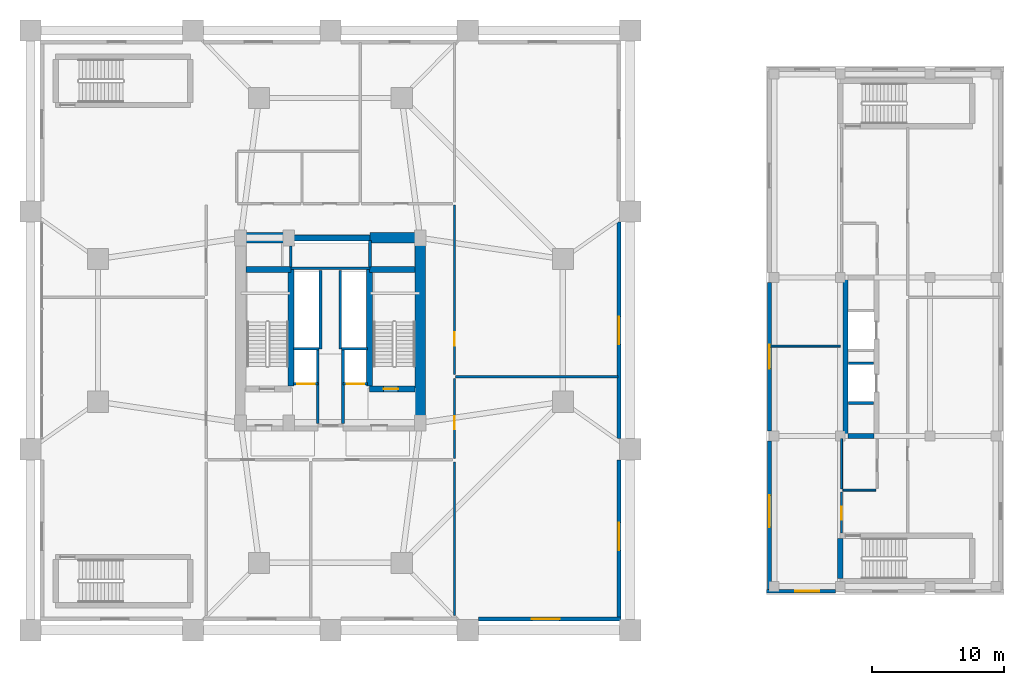
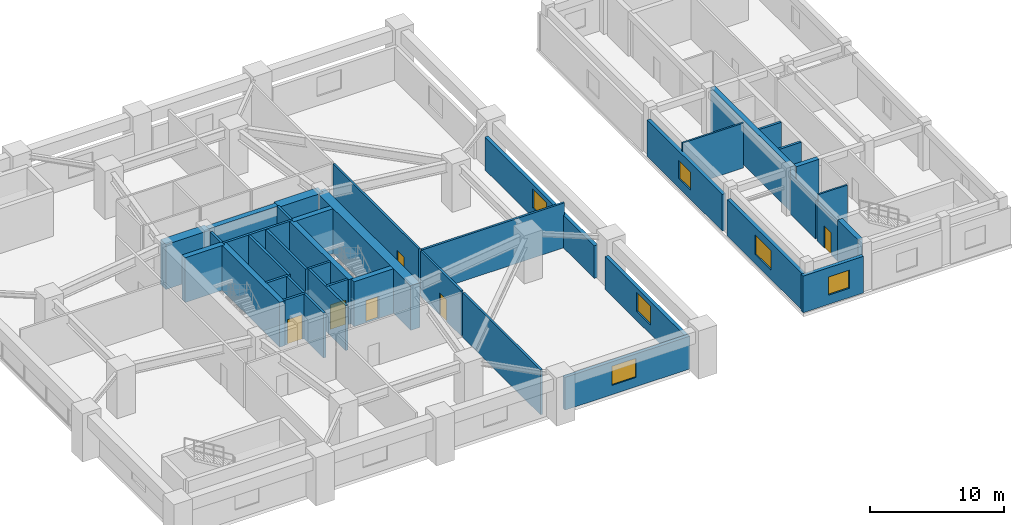
# One storey, part 9 of 16: 39 walls, 6 doors, 6 windows, 12 openings.
"""IFC4 building model written with IfcOpenShell, lengths in metres."""

from ifc_helpers import new_model, si_unit, direction, frame, frame_2d, origin, place, context, subcontext, project, spatial, rectangle, extrude, source, transform, mapped, material, layer, layer_set, type_object, element, fill, save


model = new_model("IFC4")

# Units and contexts
model_context = context("Model", 3, precision=1e-05, world=origin(), true_north=direction((0.0, 1.0)))
body_context = subcontext(model_context, "Body", "Model", "MODEL_VIEW")
ifc_project = project(units=[si_unit("LENGTHUNIT", "METRE"), si_unit("AREAUNIT", "SQUARE_METRE"), si_unit("VOLUMEUNIT", "CUBIC_METRE"), si_unit("PLANEANGLEUNIT", "RADIAN"), si_unit("MASSUNIT", "GRAM", prefix="KILO")], contexts=[model_context])

# Site, building, storey
site_placement = place(None, origin())
site = spatial("IfcSite", under=ifc_project, at=site_placement, CompositionType="ELEMENT")
building_placement = place(site_placement, origin())
building = spatial("IfcBuilding", under=site, at=building_placement, Name="Veraguas Prism Commons", CompositionType="ELEMENT")
storey_placement = place(building_placement, frame((0.0, 0.0, 14.0)))
storey = spatial("IfcBuildingStorey", under=building, at=storey_placement, Name="L03", CompositionType="ELEMENT", Elevation=14.0)

# Walls
ifc_material_1 = material(Name="Concrete C50/60", Category="concrete")
ifc_layer_1 = layer(ifc_material_1, 0.39990234375, Name="Clinic and Mid Core Shear Wall RC 400", Category="concrete")
ifc_layer_set_1 = layer_set([ifc_layer_1], Name="Concrete C50/60")
wall_type_1 = type_object("IfcWallType", Name="Clinic and Mid Core Shear Wall RC 400", PredefinedType="SHEAR", material=ifc_layer_set_1)
wall_1_placement = place(storey_placement, frame((63.0, 16.0, 0.0), z_axis=(0.0, 0.0, 1.0), x_axis=(0.0, 1.0, 0.0)))
element("IfcWall", 1, at=wall_1_placement, inside=storey, type_object=wall_type_1, Name="Health Centre Core West Shear Wall L03", PredefinedType="SHEAR", context=body_context, shape_type="SweptSolid", body=[
    extrude(rectangle(XDim=12.0, YDim=0.39990234375, at=frame_2d((6.0, 0.0))), origin(), (0.0, 0.0, 1.0), 4.10009765625),
])
wall_2_placement = place(storey_placement, frame((63.199951171875, 16.0, 0.0), z_axis=(0.0, 0.0, 1.0), x_axis=(1.0, 0.0, 0.0)))
element("IfcWall", 2, at=wall_2_placement, inside=storey, type_object=wall_type_1, Name="Health Centre Core South Wall L03", PredefinedType="SHEAR", context=body_context, shape_type="SweptSolid", body=[
    extrude(rectangle(XDim=1.949951171875, YDim=0.39990234375, at=frame_2d((0.97509765625, 0.0))), origin(), (0.0, 0.0, 1.0), 4.10009765625),
])
wall_3_placement = place(storey_placement, frame((62.60009765625, 5.199951171875, 0.0), z_axis=(0.0, 0.0, 1.0), x_axis=(0.0, 1.0, 0.0)))
element("IfcWall", 3, at=wall_3_placement, inside=storey, type_object=wall_type_1, Name="ST-H1 West Shear Wall L03", PredefinedType="SHEAR", context=body_context, shape_type="SweptSolid", body=[
    extrude(rectangle(XDim=3.050048828125, YDim=0.39990234375, at=frame_2d((1.52490234375, 0.0))), origin(), (0.0, 0.0, 1.0), 4.10009765625),
])
ifc_material_2 = material(Name="Concrete C60/75", Category="concrete")
ifc_layer_2 = layer(ifc_material_2, 0.449951171875, Name="Core Internal Shear Wall Lower RC 450", Category="concrete")
ifc_layer_set_2 = layer_set([ifc_layer_2], Name="Concrete C60/75")
wall_type_2 = type_object("IfcWallType", Name="Core Internal Shear Wall Lower RC 450", PredefinedType="SHEAR", material=ifc_layer_set_2)
wall_4_placement = place(storey_placement, frame((21.0, 31.0, 0.0), z_axis=(0.0, 0.0, 1.0), x_axis=(1.0, 0.0, 0.0)))
element("IfcWall", 4, at=wall_4_placement, inside=storey, type_object=wall_type_2, Name="High-Rise Lift Bank Front Shear Wall L03", PredefinedType="SHEAR", context=body_context, shape_type="SweptSolid", body=[
    extrude(rectangle(XDim=6.0, YDim=0.449951171875, at=frame_2d((3.0, 0.0))), origin(), (0.0, 0.0, 1.0), 4.10009765625),
])

# Wall, opening, door
wall_5_placement = place(storey_placement, frame((26.97509765625, 19.574951171875, 0.0), z_axis=(0.0, 0.0, 1.0), x_axis=(1.0, 0.0, 0.0)))
wall_5 = element("IfcWall", 5, at=wall_5_placement, inside=storey, type_object=wall_type_2, Name="Stair ST-02 South Shear Wall L03", PredefinedType="SHEAR", context=body_context, shape_type="SweptSolid", body=[
    extrude(rectangle(XDim=3.4248046875, YDim=0.449951171875, at=frame_2d((1.71240234375, 0.0))), origin(), (0.0, 0.0, 1.0), 4.10009765625),
])
opening_1_placement = place(wall_5_placement, frame((1.050048828125, 0.0, 0.0)))
opening_1 = element("IfcOpeningElement", 6, at=opening_1_placement, cuts=wall_5, Name="Opening DR-05", PredefinedType="OPENING", context=body_context, shape_type="SweptSolid", body=[
    extrude(rectangle(XDim=1.10009765625, YDim=2.030029296875, at=frame_2d((0.550048828125, 1.01513671875))), frame((0.0, 0.23486328125, 0.0), z_axis=(0.0, -1.0, 0.0), x_axis=(1.0, 0.0, 0.0)), (0.0, 0.0, 1.0), 0.469970703125),
])
ifc_material_3 = material(Name="Steel fire-rated door assembly", Category="steel")
door_type_1 = type_object("IfcDoorType", Name="Protected Stair and Refuge Fire Door 1100x2030", OperationType="NOTDEFINED", PredefinedType="DOOR", material=ifc_material_3)
shared_shape_1 = source(origin(), body_context, "Body", "SweptSolid", [
    extrude(rectangle(XDim=1.10009765625, YDim=2.030029296875, at=frame_2d((0.550048828125, 1.01513671875))), frame((0.0, 0.02490234375, 0.0), z_axis=(0.0, -1.0, 0.0), x_axis=(1.0, 0.0, 0.0)), (0.0, 0.0, 1.0), 0.050048828125),
])
door_1_placement = place(opening_1_placement, origin())
door_1 = element("IfcDoor", 7, at=door_1_placement, inside=storey, type_object=door_type_1, Name="Stair ST-02 Enclosure Door L03", OperationType="SINGLE_SWING_RIGHT", OverallHeight=2.030029296875, OverallWidth=1.10009765625, PredefinedType="DOOR", context=body_context, shape_type="MappedRepresentation", body=[
    mapped(shared_shape_1, transform((0.0, 0.0, 0.0), scale=1.0)),
])
fill(opening_1, door_1)

# Walls
for number, where, z_axis, x_axis, name in (
    (8, (21.02490234375, 19.800048828125, 0.0), (0.0, 0.0, 1.0), (0.0, 1.0, 0.0), "Stair ST-01 Inner Shear Wall L03"),
    (9, (26.97509765625, 19.800048828125, 0.0), (0.0, 0.0, 1.0), (0.0, 1.0, 0.0), "Stair ST-02 Inner Shear Wall L03"),
):
    element("IfcWall", number, at=place(storey_placement, frame(where, z_axis=z_axis, x_axis=x_axis)), inside=storey, type_object=wall_type_2, Name=name, PredefinedType="SHEAR", context=body_context, shape_type="SweptSolid", body=[
        extrude(rectangle(XDim=8.824951171875, YDim=0.449951171875, at=frame_2d((4.41259765625, 0.0))), origin(), (0.0, 0.0, 1.0), 4.10009765625),
    ])
for number, where, z_axis, x_axis, name in (
    (10, (17.60009765625, 28.625, 0.0), (0.0, 0.0, 1.0), (1.0, 0.0, 0.0), "Stair ST-01 North Shear Wall L03"),
    (11, (26.97509765625, 28.625, 0.0), (0.0, 0.0, 1.0), (1.0, 0.0, 0.0), "Stair ST-02 North Shear Wall L03"),
):
    element("IfcWall", number, at=place(storey_placement, frame(where, z_axis=z_axis, x_axis=x_axis)), inside=storey, type_object=wall_type_2, Name=name, PredefinedType="SHEAR", context=body_context, shape_type="SweptSolid", body=[
        extrude(rectangle(XDim=3.4248046875, YDim=0.449951171875, at=frame_2d((1.71240234375, 0.0))), origin(), (0.0, 0.0, 1.0), 4.10009765625),
    ])
ifc_layer_3 = layer(ifc_material_2, 0.800048828125, Name="Core Outer Shear Wall Lower RC 800", Category="concrete")
ifc_layer_set_3 = layer_set([ifc_layer_3], Name="Concrete C60/75")
wall_type_3 = type_object("IfcWallType", Name="Core Outer Shear Wall Lower RC 800", PredefinedType="SHEAR", material=ifc_layer_set_3)
wall_6_placement = place(storey_placement, frame((30.800048828125, 16.800048828125, 0.0), z_axis=(0.0, 0.0, 1.0), x_axis=(0.0, 1.0, 0.0)))
element("IfcWall", 12, at=wall_6_placement, inside=storey, type_object=wall_type_3, Name="Central Core East Shear Wall L03", PredefinedType="SHEAR", context=body_context, shape_type="SweptSolid", body=[
    extrude(rectangle(XDim=14.199951171875, YDim=0.800048828125, at=frame_2d((7.10009765625, 0.0))), origin(), (0.0, 0.0, 1.0), 4.10009765625),
])
for number, where, z_axis, x_axis, name in (
    (13, (17.199951171875, 31.0, 0.0), (0.0, 0.0, 1.0), (1.0, 0.0, 0.0), "Central Core North-West Shear Wall L03"),
    (14, (27.0, 31.0, 0.0), (0.0, 0.0, 1.0), (1.0, 0.0, 0.0), "Central Core North-East Shear Wall L03"),
):
    element("IfcWall", number, at=place(storey_placement, frame(where, z_axis=z_axis, x_axis=x_axis)), inside=storey, type_object=wall_type_3, Name=name, PredefinedType="SHEAR", context=body_context, shape_type="SweptSolid", body=[
        extrude(rectangle(XDim=3.800048828125, YDim=0.800048828125, at=frame_2d((1.89990234375, 0.0))), origin(), (0.0, 0.0, 1.0), 4.10009765625),
    ])
ifc_material_4 = material(Name="Autoclaved aerated masonry block 10 MPa", Category="masonry")
ifc_layer_4 = layer(ifc_material_4, 0.179931640625, Name="Corridor and Inter-Tenancy Partition 180", Category="masonry")
ifc_layer_set_4 = layer_set([ifc_layer_4], Name="Autoclaved aerated masonry block 10 MPa")
wall_type_4 = type_object("IfcWallType", Name="Corridor and Inter-Tenancy Partition 180", PredefinedType="PARTITIONING", material=ifc_layer_set_4)
wall_7_placement = place(storey_placement, frame((33.39990234375, 2.39990234375, 0.0), z_axis=(0.0, 0.0, 1.0), x_axis=(0.0, 1.0, 0.0)))
element("IfcWall", 15, at=wall_7_placement, inside=storey, type_object=wall_type_4, Name="WL-L03-PDPT06E", PredefinedType="PARTITIONING", context=body_context, shape_type="SweptSolid", body=[
    extrude(rectangle(XDim=11.650146484375, YDim=0.179931640625, at=frame_2d((5.8251953125, 0.0))), origin(), (0.0, 0.0, 1.0), 4.10009765625),
])

# Wall, opening, door
wall_8_placement = place(storey_placement, frame((33.39990234375, 14.300048828125, 0.0), z_axis=(0.0, 0.0, 1.0), x_axis=(0.0, 1.0, 0.0)))
wall_8 = element("IfcWall", 16, at=wall_8_placement, inside=storey, type_object=wall_type_4, Name="WL-L03-PDPT07", PredefinedType="PARTITIONING", context=body_context, shape_type="SweptSolid", body=[
    extrude(rectangle(XDim=6.050048828125, YDim=0.179931640625, at=frame_2d((3.02490234375, 0.0))), origin(), (0.0, 0.0, 1.0), 4.10009765625),
])
opening_2_placement = place(wall_8_placement, frame((2.199951171875, 0.0, 0.0)))
opening_2 = element("IfcOpeningElement", 17, at=opening_2_placement, cuts=wall_8, Name="Opening DR-13", PredefinedType="OPENING", context=body_context, shape_type="SweptSolid", body=[
    extrude(rectangle(XDim=1.0, YDim=2.010009765625, at=frame_2d((0.5, 1.0048828125))), frame((0.0, 0.099853515625, 0.0), z_axis=(0.0, -1.0, 0.0), x_axis=(1.0, 0.0, 0.0)), (0.0, 0.0, 1.0), 0.199951171875),
])
door_type_2 = type_object("IfcDoorType", Name="Core Accessible WC and Clinic Fire Door 1000x2010", OperationType="NOTDEFINED", PredefinedType="DOOR", material=ifc_material_3)
shared_shape_2 = source(origin(), body_context, "Body", "SweptSolid", [
    extrude(rectangle(XDim=1.0, YDim=2.010009765625, at=frame_2d((0.5, 1.0048828125))), frame((0.0, 0.02490234375, 0.0), z_axis=(0.0, -1.0, 0.0), x_axis=(1.0, 0.0, 0.0)), (0.0, 0.0, 1.0), 0.050048828125),
])
door_2_placement = place(opening_2_placement, origin())
door_2 = element("IfcDoor", 18, at=door_2_placement, inside=storey, type_object=door_type_2, Name="Residents Co-Working Hall Door", OperationType="SINGLE_SWING_LEFT", OverallHeight=2.010009765625, OverallWidth=1.0, PredefinedType="DOOR", context=body_context, shape_type="MappedRepresentation", body=[
    mapped(shared_shape_2, transform((0.0, 0.0, 0.0), scale=1.0)),
])
fill(opening_2, door_2)

wall_9_placement = place(storey_placement, frame((33.39990234375, 20.64990234375, 0.0), z_axis=(0.0, 0.0, 1.0), x_axis=(0.0, 1.0, 0.0)))
wall_9 = element("IfcWall", 19, at=wall_9_placement, inside=storey, type_object=wall_type_4, Name="WL-L03-PDPT08", PredefinedType="PARTITIONING", context=body_context, shape_type="SweptSolid", body=[
    extrude(rectangle(XDim=12.85009765625, YDim=0.179931640625, at=frame_2d((6.425048828125, 0.0))), origin(), (0.0, 0.0, 1.0), 4.10009765625),
])
opening_3_placement = place(wall_9_placement, frame((2.199951171875, 0.0, 0.0)))
opening_3 = element("IfcOpeningElement", 20, at=opening_3_placement, cuts=wall_9, Name="Opening DR-13", PredefinedType="OPENING", context=body_context, shape_type="SweptSolid", body=[
    extrude(rectangle(XDim=1.0, YDim=2.010009765625, at=frame_2d((0.5, 1.0048828125))), frame((0.0, 0.099853515625, 0.0), z_axis=(0.0, -1.0, 0.0), x_axis=(1.0, 0.0, 0.0)), (0.0, 0.0, 1.0), 0.199951171875),
])
door_3_placement = place(opening_3_placement, origin())
door_3 = element("IfcDoor", 21, at=door_3_placement, inside=storey, type_object=door_type_2, Name="Homework and Tutoring Hall Door", OperationType="SINGLE_SWING_RIGHT", OverallHeight=2.010009765625, OverallWidth=1.0, PredefinedType="DOOR", context=body_context, shape_type="MappedRepresentation", body=[
    mapped(shared_shape_2, transform((0.0, 0.0, 0.0), scale=1.0)),
])
fill(opening_3, door_3)

# Wall
wall_10_placement = place(storey_placement, frame((33.47998046875, 20.5, 0.0), z_axis=(0.0, 0.0, 1.0), x_axis=(1.0, 0.0, 0.0)))
element("IfcWall", 22, at=wall_10_placement, inside=storey, type_object=wall_type_4, Name="WL-L03-PDPT09", PredefinedType="PARTITIONING", context=body_context, shape_type="SweptSolid", body=[
    extrude(rectangle(XDim=12.300048828125, YDim=0.179931640625, at=frame_2d((6.14990234375, 0.0))), origin(), (0.0, 0.0, 1.0), 4.10009765625),
])

# Wall, opening, door
wall_11_placement = place(storey_placement, frame((62.699951171875, 8.64990234375, 0.0), z_axis=(0.0, 0.0, 1.0), x_axis=(0.0, 1.0, 0.0)))
wall_11 = element("IfcWall", 23, at=wall_11_placement, inside=storey, type_object=wall_type_4, Name="WL-L03-HCPT05", PredefinedType="PARTITIONING", context=body_context, shape_type="SweptSolid", body=[
    extrude(rectangle(XDim=3.10009765625, YDim=0.179931640625, at=frame_2d((1.550048828125, 0.0))), origin(), (0.0, 0.0, 1.0), 3.5),
])
opening_4_placement = place(wall_11_placement, frame((1.0, 0.0, 0.0)))
opening_4 = element("IfcOpeningElement", 24, at=opening_4_placement, cuts=wall_11, Name="Opening DR-13", PredefinedType="OPENING", context=body_context, shape_type="SweptSolid", body=[
    extrude(rectangle(XDim=1.0, YDim=2.010009765625, at=frame_2d((0.5, 1.0048828125))), frame((0.0, 0.099853515625, 0.0), z_axis=(0.0, -1.0, 0.0), x_axis=(1.0, 0.0, 0.0)), (0.0, 0.0, 1.0), 0.199951171875),
])
door_4_placement = place(opening_4_placement, origin())
door_4 = element("IfcDoor", 25, at=door_4_placement, inside=storey, type_object=door_type_2, Name="Dental and Specialist Waiting Room Door", OperationType="SINGLE_SWING_RIGHT", OverallHeight=2.010009765625, OverallWidth=1.0, PredefinedType="DOOR", context=body_context, shape_type="MappedRepresentation", body=[
    mapped(shared_shape_2, transform((0.0, 0.0, 0.0), scale=1.0)),
])
fill(opening_4, door_4)

# Wall, opening, window
ifc_material_5 = material(Name="Precast concrete C40/50", Category="concrete")
ifc_layer_5 = layer(ifc_material_5, 0.300048828125, Name="External Precast Facade Wall 300", Category="concrete")
ifc_layer_set_5 = layer_set([ifc_layer_5], Name="Precast concrete C40/50")
wall_type_5 = type_object("IfcWallType", Name="External Precast Facade Wall 300", PredefinedType="SOLIDWALL", material=ifc_layer_set_5)
wall_12_placement = place(storey_placement, frame((35.199951171875, 2.14990234375, 0.0), z_axis=(0.0, 0.0, 1.0), x_axis=(1.0, 0.0, 0.0)))
wall_12 = element("IfcWall", 26, at=wall_12_placement, inside=storey, type_object=wall_type_5, Name="Podium South Facade Wall L03-04", PredefinedType="SOLIDWALL", context=body_context, shape_type="SweptSolid", body=[
    extrude(rectangle(XDim=10.800048828125, YDim=0.300048828125, at=frame_2d((5.39990234375, 0.0))), origin(), (0.0, 0.0, 1.0), 3.0),
])
opening_5_placement = place(wall_12_placement, frame((4.050048828125, 0.0, 0.85009765625)))
opening_5 = element("IfcOpeningElement", 27, at=opening_5_placement, cuts=wall_12, Name="Opening WN-07", PredefinedType="OPENING", context=body_context, shape_type="SweptSolid", body=[
    extrude(rectangle(XDim=2.10009765625, YDim=1.75, at=frame_2d((1.050048828125, 0.875))), frame((0.0, 0.159912109375, 0.0), z_axis=(0.0, -1.0, 0.0), x_axis=(1.0, 0.0, 0.0)), (0.0, 0.0, 1.0), 0.320068359375),
])
ifc_material_6 = material(Name="Laminated low-e glass", Category="glass")
window_type_1 = type_object("IfcWindowType", Name="Podium Community Window 2100x1750", PartitioningType="DOUBLE_PANEL_VERTICAL", PredefinedType="WINDOW", material=ifc_material_6)
shared_shape_3 = source(origin(), body_context, "Body", "SweptSolid", [
    extrude(rectangle(XDim=2.10009765625, YDim=1.75, at=frame_2d((1.050048828125, 0.875))), frame((0.0, 0.030029296875, 0.0), z_axis=(0.0, -1.0, 0.0), x_axis=(1.0, 0.0, 0.0)), (0.0, 0.0, 1.0), 0.06005859375),
])
window_1_placement = place(opening_5_placement, origin())
window_1 = element("IfcWindow", 28, at=window_1_placement, inside=storey, type_object=window_type_1, Name="Podium South Window L03-04", OverallHeight=1.75, OverallWidth=2.10009765625, PartitioningType="DOUBLE_PANEL_VERTICAL", PredefinedType="WINDOW", context=body_context, shape_type="MappedRepresentation", body=[
    mapped(shared_shape_3, transform((0.0, 0.0, 0.0), scale=1.0)),
])
fill(opening_5, window_1)

wall_13_placement = place(storey_placement, frame((45.85009765625, 2.300048828125, 0.0), z_axis=(0.0, 0.0, 1.0), x_axis=(0.0, 1.0, 0.0)))
wall_13 = element("IfcWall", 29, at=wall_13_placement, inside=storey, type_object=wall_type_5, Name="Podium East Plaza Wall L03-01", PredefinedType="SOLIDWALL", context=body_context, shape_type="SweptSolid", body=[
    extrude(rectangle(XDim=11.89990234375, YDim=0.300048828125, at=frame_2d((5.949951171875, 0.0))), origin(), (0.0, 0.0, 1.0), 3.0),
])
opening_6_placement = place(wall_13_placement, frame((5.050048828125, 0.0, 0.85009765625)))
opening_6 = element("IfcOpeningElement", 30, at=opening_6_placement, cuts=wall_13, Name="Opening WN-07", PredefinedType="OPENING", context=body_context, shape_type="SweptSolid", body=[
    extrude(rectangle(XDim=2.10009765625, YDim=1.75, at=frame_2d((1.050048828125, 0.875))), frame((0.0, 0.159912109375, 0.0), z_axis=(0.0, -1.0, 0.0), x_axis=(1.0, 0.0, 0.0)), (0.0, 0.0, 1.0), 0.320068359375),
])
window_2_placement = place(opening_6_placement, origin())
window_2 = element("IfcWindow", 31, at=window_2_placement, inside=storey, type_object=window_type_1, Name="Podium East Window L03-01", OverallHeight=1.75, OverallWidth=2.10009765625, PartitioningType="DOUBLE_PANEL_VERTICAL", PredefinedType="WINDOW", context=body_context, shape_type="MappedRepresentation", body=[
    mapped(shared_shape_3, transform((0.0, 0.0, 0.0), scale=1.0)),
])
fill(opening_6, window_2)

wall_14_placement = place(storey_placement, frame((45.85009765625, 15.800048828125, 0.0), z_axis=(0.0, 0.0, 1.0), x_axis=(0.0, 1.0, 0.0)))
wall_14 = element("IfcWall", 32, at=wall_14_placement, inside=storey, type_object=wall_type_5, Name="Podium East Plaza Wall L03-02", PredefinedType="SOLIDWALL", context=body_context, shape_type="SweptSolid", body=[
    extrude(rectangle(XDim=16.39990234375, YDim=0.300048828125, at=frame_2d((8.199951171875, 0.0))), origin(), (0.0, 0.0, 1.0), 3.0),
])
opening_7_placement = place(wall_14_placement, frame((7.14990234375, 0.0, 0.85009765625)))
opening_7 = element("IfcOpeningElement", 33, at=opening_7_placement, cuts=wall_14, Name="Opening WN-07", PredefinedType="OPENING", context=body_context, shape_type="SweptSolid", body=[
    extrude(rectangle(XDim=2.10009765625, YDim=1.75, at=frame_2d((1.050048828125, 0.875))), frame((0.0, 0.159912109375, 0.0), z_axis=(0.0, -1.0, 0.0), x_axis=(1.0, 0.0, 0.0)), (0.0, 0.0, 1.0), 0.320068359375),
])
window_3_placement = place(opening_7_placement, origin())
window_3 = element("IfcWindow", 34, at=window_3_placement, inside=storey, type_object=window_type_1, Name="Podium East Window L03-02", OverallHeight=1.75, OverallWidth=2.10009765625, PartitioningType="DOUBLE_PANEL_VERTICAL", PredefinedType="WINDOW", context=body_context, shape_type="MappedRepresentation", body=[
    mapped(shared_shape_3, transform((0.0, 0.0, 0.0), scale=1.0)),
])
fill(opening_7, window_3)

wall_15_placement = place(storey_placement, frame((57.0, 4.25, 0.0), z_axis=(0.0, 0.0, 1.0), x_axis=(1.0, 0.0, 0.0)))
wall_15 = element("IfcWall", 35, at=wall_15_placement, inside=storey, type_object=wall_type_5, Name="Health Centre South Wall L03-01", PredefinedType="SOLIDWALL", context=body_context, shape_type="SweptSolid", body=[
    extrude(rectangle(XDim=5.22509765625, YDim=0.300048828125, at=frame_2d((2.612548828125, 0.0))), origin(), (0.0, 0.0, 1.0), 3.35009765625),
])
opening_8_placement = place(wall_15_placement, frame((2.199951171875, 0.0, 0.85009765625)))
opening_8 = element("IfcOpeningElement", 36, at=opening_8_placement, cuts=wall_15, Name="Opening WN-01", PredefinedType="OPENING", context=body_context, shape_type="SweptSolid", body=[
    extrude(rectangle(XDim=1.800048828125, YDim=1.64990234375, at=frame_2d((0.89990234375, 0.824951171875))), frame((0.0, 0.159912109375, 0.0), z_axis=(0.0, -1.0, 0.0), x_axis=(1.0, 0.0, 0.0)), (0.0, 0.0, 1.0), 0.320068359375),
])
window_type_2 = type_object("IfcWindowType", Name="Clinic Consulting Double Window 1800x1650", PartitioningType="DOUBLE_PANEL_VERTICAL", PredefinedType="WINDOW", material=ifc_material_6)
shared_shape_4 = source(origin(), body_context, "Body", "SweptSolid", [
    extrude(rectangle(XDim=1.800048828125, YDim=1.64990234375, at=frame_2d((0.89990234375, 0.824951171875))), frame((0.0, 0.030029296875, 0.0), z_axis=(0.0, -1.0, 0.0), x_axis=(1.0, 0.0, 0.0)), (0.0, 0.0, 1.0), 0.06005859375),
])
window_4_placement = place(opening_8_placement, origin())
window_4 = element("IfcWindow", 37, at=window_4_placement, inside=storey, type_object=window_type_2, Name="Health Centre South Window L03-01", OverallHeight=1.64990234375, OverallWidth=1.800048828125, PartitioningType="DOUBLE_PANEL_VERTICAL", PredefinedType="WINDOW", context=body_context, shape_type="MappedRepresentation", body=[
    mapped(shared_shape_4, transform((0.0, 0.0, 0.0), scale=1.0)),
])
fill(opening_8, window_4)

wall_16_placement = place(storey_placement, frame((57.25, 27.625, 0.0), z_axis=(0.0, 0.0, 1.0), x_axis=(0.0, -1.0, 0.0)))
wall_16 = element("IfcWall", 38, at=wall_16_placement, inside=storey, type_object=wall_type_5, Name="Health Centre West Plaza Wall L03-02", PredefinedType="SOLIDWALL", context=body_context, shape_type="SweptSolid", body=[
    extrude(rectangle(XDim=11.25, YDim=0.300048828125, at=frame_2d((5.625, 0.0))), origin(), (0.0, 0.0, 1.0), 3.35009765625),
])
opening_9_placement = place(wall_16_placement, frame((4.72509765625, 0.0, 0.85009765625)))
opening_9 = element("IfcOpeningElement", 39, at=opening_9_placement, cuts=wall_16, Name="Opening WN-01", PredefinedType="OPENING", context=body_context, shape_type="SweptSolid", body=[
    extrude(rectangle(XDim=1.800048828125, YDim=1.64990234375, at=frame_2d((0.89990234375, 0.824951171875))), frame((0.0, 0.159912109375, 0.0), z_axis=(0.0, -1.0, 0.0), x_axis=(1.0, 0.0, 0.0)), (0.0, 0.0, 1.0), 0.320068359375),
])
window_5_placement = place(opening_9_placement, origin())
window_5 = element("IfcWindow", 40, at=window_5_placement, inside=storey, type_object=window_type_2, Name="Health Centre West Window L03-02", OverallHeight=1.64990234375, OverallWidth=1.800048828125, PartitioningType="DOUBLE_PANEL_VERTICAL", PredefinedType="WINDOW", context=body_context, shape_type="MappedRepresentation", body=[
    mapped(shared_shape_4, transform((0.0, 0.0, 0.0), scale=1.0)),
])
fill(opening_9, window_5)

wall_17_placement = place(storey_placement, frame((57.25, 15.625, 0.0), z_axis=(0.0, 0.0, 1.0), x_axis=(0.0, -1.0, 0.0)))
wall_17 = element("IfcWall", 41, at=wall_17_placement, inside=storey, type_object=wall_type_5, Name="Health Centre West Plaza Wall L03-03", PredefinedType="SOLIDWALL", context=body_context, shape_type="SweptSolid", body=[
    extrude(rectangle(XDim=11.22509765625, YDim=0.300048828125, at=frame_2d((5.612548828125, 0.0))), origin(), (0.0, 0.0, 1.0), 3.35009765625),
])
opening_10_placement = place(wall_17_placement, frame((4.125, 0.0, 0.85009765625)))
opening_10 = element("IfcOpeningElement", 42, at=opening_10_placement, cuts=wall_17, Name="Opening WN-02", PredefinedType="OPENING", context=body_context, shape_type="SweptSolid", body=[
    extrude(rectangle(XDim=2.39990234375, YDim=1.800048828125, at=frame_2d((1.199951171875, 0.89990234375))), frame((0.0, 0.159912109375, 0.0), z_axis=(0.0, -1.0, 0.0), x_axis=(1.0, 0.0, 0.0)), (0.0, 0.0, 1.0), 0.320068359375),
])
window_type_3 = type_object("IfcWindowType", Name="Clinic Waiting Fixed Window 2400x1800", PartitioningType="SINGLE_PANEL", PredefinedType="WINDOW", material=ifc_material_6)
shared_shape_5 = source(origin(), body_context, "Body", "SweptSolid", [
    extrude(rectangle(XDim=2.39990234375, YDim=1.800048828125, at=frame_2d((1.199951171875, 0.89990234375))), frame((0.0, 0.030029296875, 0.0), z_axis=(0.0, -1.0, 0.0), x_axis=(1.0, 0.0, 0.0)), (0.0, 0.0, 1.0), 0.06005859375),
])
window_6_placement = place(opening_10_placement, origin())
window_6 = element("IfcWindow", 43, at=window_6_placement, inside=storey, type_object=window_type_3, Name="Health Centre West Window L03-03", OverallHeight=1.800048828125, OverallWidth=2.39990234375, PartitioningType="SINGLE_PANEL", PredefinedType="WINDOW", context=body_context, shape_type="MappedRepresentation", body=[
    mapped(shared_shape_5, transform((0.0, 0.0, 0.0), scale=1.0)),
])
fill(opening_10, window_6)

# Wall, opening, door
ifc_layer_6 = layer(ifc_material_4, 0.199951171875, Name="Rated Shaft and Lobby Block Wall 200", Category="masonry")
ifc_layer_set_6 = layer_set([ifc_layer_6], Name="Autoclaved aerated masonry block 10 MPa")
wall_type_6 = type_object("IfcWallType", Name="Rated Shaft and Lobby Block Wall 200", PredefinedType="SOLIDWALL", material=ifc_layer_set_6)
wall_18_placement = place(storey_placement, frame((21.199951171875, 19.949951171875, 0.0), z_axis=(0.0, 0.0, 1.0), x_axis=(1.0, 0.0, 0.0)))
wall_18 = element("IfcWall", 44, at=wall_18_placement, inside=storey, type_object=wall_type_6, Name="Firefighting Lift FFL-1 Front Wall L03", PredefinedType="SOLIDWALL", context=body_context, shape_type="SweptSolid", body=[
    extrude(rectangle(XDim=1.85009765625, YDim=0.199951171875, at=frame_2d((0.925048828125, 0.0))), origin(), (0.0, 0.0, 1.0), 4.10009765625),
])
opening_11_placement = place(wall_18_placement, frame((0.300048828125, 0.0, 0.0)))
opening_11 = element("IfcOpeningElement", 45, at=opening_11_placement, cuts=wall_18, Name="Opening LD-02", PredefinedType="OPENING", context=body_context, shape_type="SweptSolid", body=[
    extrude(rectangle(XDim=1.300048828125, YDim=2.25, at=frame_2d((0.64990234375, 1.125))), frame((0.0, 0.10986328125, 0.0), z_axis=(0.0, -1.0, 0.0), x_axis=(1.0, 0.0, 0.0)), (0.0, 0.0, 1.0), 0.219970703125),
])
ifc_material_7 = material(Name="Stainless steel AISI 316", Category="steel")
door_type_3 = type_object("IfcDoorType", Name="Firefighting Lift Sliding Landing Door 1300x2250", OperationType="NOTDEFINED", PredefinedType="DOOR", material=ifc_material_7)
shared_shape_6 = source(origin(), body_context, "Body", "SweptSolid", [
    extrude(rectangle(XDim=1.300048828125, YDim=2.25, at=frame_2d((0.64990234375, 1.125))), frame((0.0, 0.02490234375, 0.0), z_axis=(0.0, -1.0, 0.0), x_axis=(1.0, 0.0, 0.0)), (0.0, 0.0, 1.0), 0.050048828125),
])
door_5_placement = place(opening_11_placement, origin())
door_5 = element("IfcDoor", 46, at=door_5_placement, inside=storey, type_object=door_type_3, Name="Firefighting Lift FFL-1 Landing Door L03", OperationType="SLIDING_TO_LEFT", OverallHeight=2.25, OverallWidth=1.300048828125, PredefinedType="DOOR", context=body_context, shape_type="MappedRepresentation", body=[
    mapped(shared_shape_6, transform((0.0, 0.0, 0.0), scale=1.0)),
])
fill(opening_11, door_5)

wall_19_placement = place(storey_placement, frame((24.949951171875, 19.949951171875, 0.0), z_axis=(0.0, 0.0, 1.0), x_axis=(1.0, 0.0, 0.0)))
wall_19 = element("IfcWall", 47, at=wall_19_placement, inside=storey, type_object=wall_type_6, Name="Firefighting Lift FFL-2 Front Wall L03", PredefinedType="SOLIDWALL", context=body_context, shape_type="SweptSolid", body=[
    extrude(rectangle(XDim=1.85009765625, YDim=0.199951171875, at=frame_2d((0.925048828125, 0.0))), origin(), (0.0, 0.0, 1.0), 4.10009765625),
])
opening_12_placement = place(wall_19_placement, frame((0.300048828125, 0.0, 0.0)))
opening_12 = element("IfcOpeningElement", 48, at=opening_12_placement, cuts=wall_19, Name="Opening LD-02", PredefinedType="OPENING", context=body_context, shape_type="SweptSolid", body=[
    extrude(rectangle(XDim=1.300048828125, YDim=2.25, at=frame_2d((0.64990234375, 1.125))), frame((0.0, 0.10986328125, 0.0), z_axis=(0.0, -1.0, 0.0), x_axis=(1.0, 0.0, 0.0)), (0.0, 0.0, 1.0), 0.219970703125),
])
door_6_placement = place(opening_12_placement, origin())
door_6 = element("IfcDoor", 49, at=door_6_placement, inside=storey, type_object=door_type_3, Name="Firefighting Lift FFL-2 Front Wall L03", OperationType="SLIDING_TO_LEFT", OverallHeight=2.25, OverallWidth=1.300048828125, PredefinedType="DOOR", context=body_context, shape_type="MappedRepresentation", body=[
    mapped(shared_shape_6, transform((0.0, 0.0, 0.0), scale=1.0)),
])
fill(opening_12, door_6)

# Walls
for number, where, z_axis, x_axis, name in (
    (50, (23.050048828125, 16.949951171875, 0.0), (0.0, 0.0, 1.0), (0.0, 1.0, 0.0), "West FF Lobby Divider Wall L03"),
    (51, (24.949951171875, 16.949951171875, 0.0), (0.0, 0.0, 1.0), (0.0, 1.0, 0.0), "East FF Lobby Divider Wall L03"),
):
    element("IfcWall", number, at=place(storey_placement, frame(where, z_axis=z_axis, x_axis=x_axis)), inside=storey, type_object=wall_type_6, Name=name, PredefinedType="SOLIDWALL", context=body_context, shape_type="SweptSolid", body=[
        extrude(rectangle(XDim=5.60009765625, YDim=0.199951171875, at=frame_2d((2.800048828125, 0.0))), origin(), (0.0, 0.0, 1.0), 4.10009765625),
    ])
for number, where, z_axis, x_axis, name in (
    (52, (21.199951171875, 22.60009765625, 0.0), (0.0, 0.0, 1.0), (1.0, 0.0, 0.0), "Firefighting Lift FFL-1 Rear Wall L03"),
    (53, (24.85009765625, 22.60009765625, 0.0), (0.0, 0.0, 1.0), (1.0, 0.0, 0.0), "Firefighting Lift FFL-2 Rear Wall L03"),
):
    element("IfcWall", number, at=place(storey_placement, frame(where, z_axis=z_axis, x_axis=x_axis)), inside=storey, type_object=wall_type_6, Name=name, PredefinedType="SOLIDWALL", context=body_context, shape_type="SweptSolid", body=[
        extrude(rectangle(XDim=1.949951171875, YDim=0.199951171875, at=frame_2d((0.97509765625, 0.0))), origin(), (0.0, 0.0, 1.0), 4.10009765625),
    ])
wall_20_placement = place(storey_placement, frame((21.0, 28.699951171875, 0.0), z_axis=(0.0, 0.0, 1.0), x_axis=(1.0, 0.0, 0.0)))
element("IfcWall", 54, at=wall_20_placement, inside=storey, type_object=wall_type_6, Name="High-Rise Lift Bank Rear Shaft Wall L03", PredefinedType="SOLIDWALL", context=body_context, shape_type="SweptSolid", body=[
    extrude(rectangle(XDim=6.0, YDim=0.199951171875, at=frame_2d((3.0, 0.0))), origin(), (0.0, 0.0, 1.0), 4.10009765625),
])
wall_21_placement = place(storey_placement, frame((21.0, 28.800048828125, 0.0), z_axis=(0.0, 0.0, 1.0), x_axis=(0.0, 1.0, 0.0)))
element("IfcWall", 55, at=wall_21_placement, inside=storey, type_object=wall_type_6, Name="High-Rise Lift Bank West Shaft Wall L03", PredefinedType="SOLIDWALL", context=body_context, shape_type="SweptSolid", body=[
    extrude(rectangle(XDim=1.599853515625, YDim=0.199951171875, at=frame_2d((0.7998046875, 0.0))), origin(), (0.0, 0.0, 1.0), 4.10009765625),
])
wall_22_placement = place(storey_placement, frame((27.0, 28.800048828125, 0.0), z_axis=(0.0, 0.0, 1.0), x_axis=(0.0, 1.0, 0.0)))
element("IfcWall", 56, at=wall_22_placement, inside=storey, type_object=wall_type_6, Name="High-Rise Lift Bank East Shaft Wall L03", PredefinedType="SOLIDWALL", context=body_context, shape_type="SweptSolid", body=[
    extrude(rectangle(XDim=2.0, YDim=0.199951171875, at=frame_2d((1.0, 0.0))), origin(), (0.0, 0.0, 1.0), 4.10009765625),
])
for number, where, z_axis, x_axis, name in (
    (57, (23.25, 22.60009765625, 0.0), (0.0, 0.0, 1.0), (0.0, 1.0, 0.0), "Low-Rise Lift Bank Front Wall L03"),
    (58, (24.75, 22.60009765625, 0.0), (0.0, 0.0, 1.0), (0.0, 1.0, 0.0), "Mid-Rise Lift Bank Front Wall L03"),
):
    element("IfcWall", number, at=place(storey_placement, frame(where, z_axis=z_axis, x_axis=x_axis)), inside=storey, type_object=wall_type_6, Name=name, PredefinedType="SOLIDWALL", context=body_context, shape_type="SweptSolid", body=[
        extrude(rectangle(XDim=5.949951171875, YDim=0.199951171875, at=frame_2d((2.97509765625, 0.0))), origin(), (0.0, 0.0, 1.0), 4.10009765625),
    ])
for number, where, z_axis, x_axis, name in (
    (59, (63.219970703125, 18.5, 0.0), (0.0, 0.0, 1.0), (1.0, 0.0, 0.0), "Health Centre Lift Shaft Divider Wall L03-CL1S"),
    (60, (63.219970703125, 21.5, 0.0), (0.0, 0.0, 1.0), (1.0, 0.0, 0.0), "Health Centre Lift Shaft Divider Wall L03-CL1N"),
):
    element("IfcWall", number, at=place(storey_placement, frame(where, z_axis=z_axis, x_axis=x_axis)), inside=storey, type_object=wall_type_6, Name=name, PredefinedType="SOLIDWALL", context=body_context, shape_type="SweptSolid", body=[
        extrude(rectangle(XDim=1.909912109375, YDim=0.199951171875, at=frame_2d((0.955078125, 0.0))), origin(), (0.0, 0.0, 1.0), 4.10009765625),
    ])
ifc_material_8 = material(Name="Lightweight acoustic gypsum board")
ifc_layer_7 = layer(ifc_material_8, 0.14990234375, Name="Wet Room and Clinic Acoustic Partition 150")
ifc_layer_set_7 = layer_set([ifc_layer_7], Name="Lightweight acoustic gypsum board")
wall_type_7 = type_object("IfcWallType", Name="Wet Room and Clinic Acoustic Partition 150", PredefinedType="PARTITIONING", material=ifc_layer_set_7)
wall_23_placement = place(storey_placement, frame((62.800048828125, 11.89990234375, 0.0), z_axis=(0.0, 0.0, 1.0), x_axis=(1.0, 0.0, 0.0)))
element("IfcWall", 61, at=wall_23_placement, inside=storey, type_object=wall_type_7, Name="WL-L03-HCPT01", PredefinedType="PARTITIONING", context=body_context, shape_type="SweptSolid", body=[
    extrude(rectangle(XDim=2.5, YDim=0.14990234375, at=frame_2d((1.25, 0.0))), origin(), (0.0, 0.0, 1.0), 4.10009765625),
])
wall_24_placement = place(storey_placement, frame((62.699951171875, 12.0, 0.0), z_axis=(0.0, 0.0, 1.0), x_axis=(0.0, 1.0, 0.0)))
element("IfcWall", 62, at=wall_24_placement, inside=storey, type_object=wall_type_7, Name="WL-L03-HCPT01W", PredefinedType="PARTITIONING", context=body_context, shape_type="SweptSolid", body=[
    extrude(rectangle(XDim=3.800048828125, YDim=0.14990234375, at=frame_2d((1.89990234375, 0.0))), origin(), (0.0, 0.0, 1.0), 3.5),
])
wall_25_placement = place(storey_placement, frame((57.320068359375, 22.800048828125, 0.0), z_axis=(0.0, 0.0, 1.0), x_axis=(1.0, 0.0, 0.0)))
element("IfcWall", 63, at=wall_25_placement, inside=storey, type_object=wall_type_7, Name="WL-L03-HCPT07", PredefinedType="PARTITIONING", context=body_context, shape_type="SweptSolid", body=[
    extrude(rectangle(XDim=5.300048828125, YDim=0.14990234375, at=frame_2d((2.64990234375, 0.0))), origin(), (0.0, 0.0, 1.0), 4.10009765625),
])

save(model, "model.ifc")
